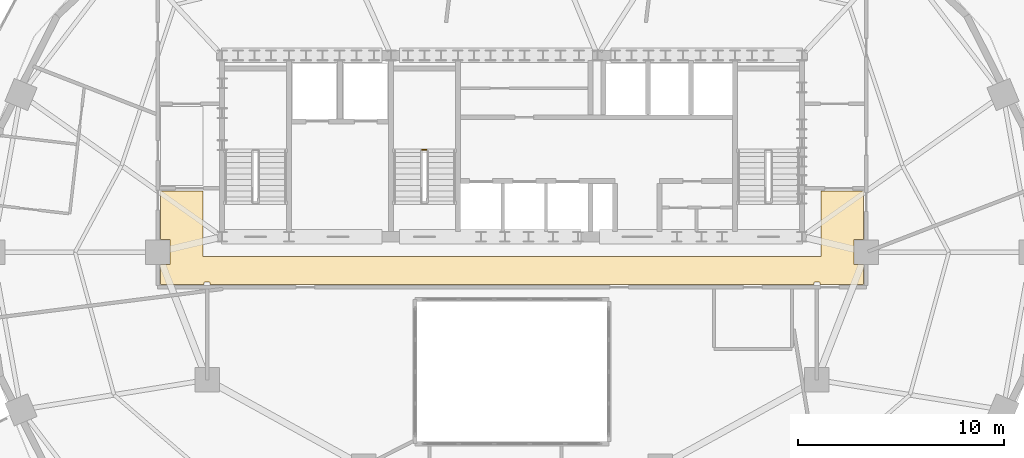
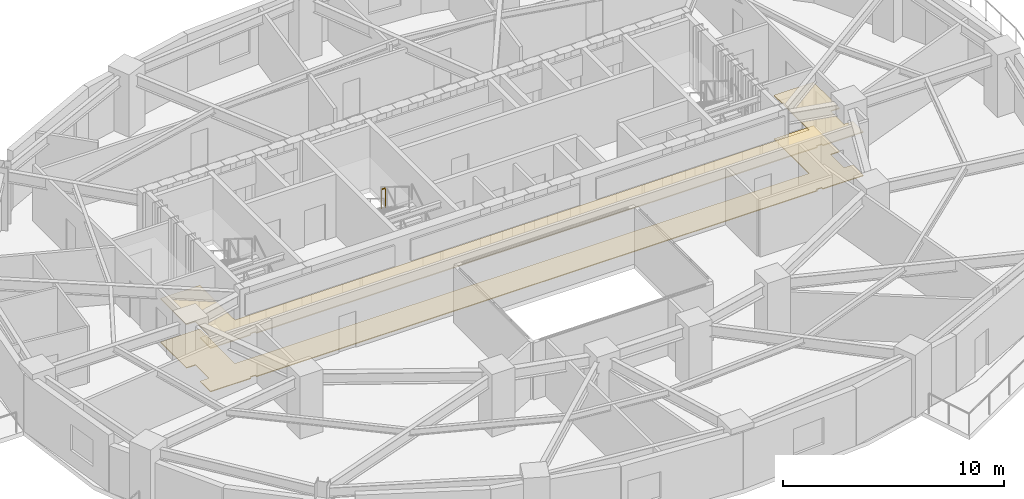
# One storey, part 11 of 12: 2 coverings, 1 railing.
"""IFC4 building model written with IfcOpenShell, lengths in metres."""

from ifc_helpers import new_model, si_unit, direction, frame, origin, origin_2d, place, context, subcontext, project, spatial, polyline, rectangle, outline, extrude, material, layer, layer_set, type_object, element, save


model = new_model("IFC4")

# Units and contexts
model_context = context("Model", 3, precision=1e-05, world=origin(), true_north=direction((0.0, 1.0)))
body_context = subcontext(model_context, "Body", "Model", "MODEL_VIEW")
ifc_project = project(units=[si_unit("LENGTHUNIT", "METRE"), si_unit("AREAUNIT", "SQUARE_METRE"), si_unit("VOLUMEUNIT", "CUBIC_METRE"), si_unit("PLANEANGLEUNIT", "RADIAN"), si_unit("MASSUNIT", "GRAM", prefix="KILO")], contexts=[model_context])

# Site, building, storey
site_placement = place(None, origin())
site = spatial("IfcSite", under=ifc_project, at=site_placement, CompositionType="ELEMENT")
building_placement = place(site_placement, origin())
building = spatial("IfcBuilding", under=site, at=building_placement, Name="Haldorwick Loom Tower", CompositionType="ELEMENT")
storey_placement = place(building_placement, frame((0.0, 0.0, 146.0)))
storey = spatial("IfcBuildingStorey", under=building, at=storey_placement, Name="L39", CompositionType="ELEMENT", Elevation=146.0)

# Coverings
ifc_material_1 = material(Name="Mineral Fibre Acoustic Ceiling Tile")
ifc_layer_1 = layer(ifc_material_1, 0.054931640625, Name="Mineral Fibre Acoustic Ceiling Tile")
ifc_layer_set_1 = layer_set([ifc_layer_1], Name="Mineral Fibre Acoustic Ceiling Tile")
covering_type_1 = type_object("IfcCoveringType", Name="ARC-COV-CEIL2", PredefinedType="CEILING", material=ifc_layer_set_1)
covering_1_placement = place(storey_placement, frame((0.0, 0.0, 2.39794921875)))
element("IfcCovering", 1, at=covering_1_placement, inside=storey, type_object=covering_type_1, Name="L39 Acoustic Suspended Ceiling 1", PredefinedType="CEILING", context=body_context, shape_type="SweptSolid", body=[
    extrude(outline(polyline([(51.0, 28.9599609375), (51.0, 25.800048828125), (21.0, 25.800048828125), (21.0, 28.9599609375), (18.93994140625, 28.9599609375), (18.93994140625, 26.60791015625), (19.407958984375, 26.60791015625), (19.407958984375, 25.39208984375), (18.93994140625, 25.39208984375), (18.93994140625, 24.43994140625), (21.06005859375, 24.43994140625), (21.06005859375, 24.52001953125), (21.06005859375, 24.52197265625), (21.060302734375, 24.52392578125), (21.060791015625, 24.52587890625), (21.0615234375, 24.527587890625), (21.0625, 24.529296875), (21.0634765625, 24.531005859375), (21.064453125, 24.53271484375), (21.06591796875, 24.5341796875), (21.0673828125, 24.535400390625), (21.06884765625, 24.53662109375), (21.070556640625, 24.53759765625), (21.072265625, 24.53857421875), (21.07421875, 24.5390625), (21.076171875, 24.53955078125), (21.077880859375, 24.539794921875), (21.080078125, 24.5400390625), (21.320068359375, 24.5400390625), (21.322021484375, 24.539794921875), (21.323974609375, 24.53955078125), (21.32568359375, 24.5390625), (21.32763671875, 24.53857421875), (21.329345703125, 24.53759765625), (21.3310546875, 24.53662109375), (21.332763671875, 24.535400390625), (21.333984375, 24.5341796875), (21.33544921875, 24.53271484375), (21.336669921875, 24.531005859375), (21.337646484375, 24.529296875), (21.33837890625, 24.527587890625), (21.339111328125, 24.52587890625), (21.339599609375, 24.52392578125), (21.33984375, 24.52197265625), (21.340087890625, 24.52001953125), (21.340087890625, 24.43994140625), (50.659912109375, 24.43994140625), (50.659912109375, 24.52001953125), (50.66015625, 24.52197265625), (50.660400390625, 24.52392578125), (50.660888671875, 24.52587890625), (50.66162109375, 24.527587890625), (50.662353515625, 24.529296875), (50.663330078125, 24.531005859375), (50.66455078125, 24.53271484375), (50.666015625, 24.5341796875), (50.667236328125, 24.535400390625), (50.6689453125, 24.53662109375), (50.670654296875, 24.53759765625), (50.67236328125, 24.53857421875), (50.67431640625, 24.5390625), (50.676025390625, 24.53955078125), (50.677978515625, 24.539794921875), (50.679931640625, 24.5400390625), (50.919921875, 24.5400390625), (50.922119140625, 24.539794921875), (50.923828125, 24.53955078125), (50.92578125, 24.5390625), (50.927734375, 24.53857421875), (50.929443359375, 24.53759765625), (50.93115234375, 24.53662109375), (50.9326171875, 24.535400390625), (50.93408203125, 24.5341796875), (50.935546875, 24.53271484375), (50.9365234375, 24.531005859375), (50.9375, 24.529296875), (50.9384765625, 24.527587890625), (50.939208984375, 24.52587890625), (50.939697265625, 24.52392578125), (50.93994140625, 24.52197265625), (50.93994140625, 24.52001953125), (50.93994140625, 24.43994140625), (53.06005859375, 24.43994140625), (53.06005859375, 25.39208984375), (52.592041015625, 25.39208984375), (52.592041015625, 26.60791015625), (53.06005859375, 26.60791015625), (53.06005859375, 28.9599609375), (51.0, 28.9599609375)])), origin(), (0.0, 0.0, 1.0), 0.054931640625),
])
ifc_material_2 = material(Name="Polished Aggregate Terrazzo Finish")
ifc_layer_2 = layer(ifc_material_2, 0.044921875, Name="Polished Aggregate Terrazzo Finish")
ifc_layer_set_2 = layer_set([ifc_layer_2], Name="Polished Aggregate Terrazzo Finish")
covering_type_2 = type_object("IfcCoveringType", Name="ARC-COV-FLOOR2", PredefinedType="FLOORING", material=ifc_layer_set_2)
covering_2_placement = place(storey_placement, origin())
element("IfcCovering", 2, at=covering_2_placement, inside=storey, type_object=covering_type_2, Name="L39 Floor Finish 1", PredefinedType="FLOORING", context=body_context, shape_type="SweptSolid", body=[
    extrude(outline(polyline([(51.0, 28.9599609375), (51.0, 25.800048828125), (21.0, 25.800048828125), (21.0, 28.9599609375), (18.93994140625, 28.9599609375), (18.93994140625, 26.60791015625), (19.407958984375, 26.60791015625), (19.407958984375, 25.39208984375), (18.93994140625, 25.39208984375), (18.93994140625, 24.43994140625), (21.06005859375, 24.43994140625), (21.06005859375, 24.52001953125), (21.06005859375, 24.52197265625), (21.060302734375, 24.52392578125), (21.060791015625, 24.52587890625), (21.0615234375, 24.527587890625), (21.0625, 24.529296875), (21.0634765625, 24.531005859375), (21.064453125, 24.53271484375), (21.06591796875, 24.5341796875), (21.0673828125, 24.535400390625), (21.06884765625, 24.53662109375), (21.070556640625, 24.53759765625), (21.072265625, 24.53857421875), (21.07421875, 24.5390625), (21.076171875, 24.53955078125), (21.077880859375, 24.539794921875), (21.080078125, 24.5400390625), (21.320068359375, 24.5400390625), (21.322021484375, 24.539794921875), (21.323974609375, 24.53955078125), (21.32568359375, 24.5390625), (21.32763671875, 24.53857421875), (21.329345703125, 24.53759765625), (21.3310546875, 24.53662109375), (21.332763671875, 24.535400390625), (21.333984375, 24.5341796875), (21.33544921875, 24.53271484375), (21.336669921875, 24.531005859375), (21.337646484375, 24.529296875), (21.33837890625, 24.527587890625), (21.339111328125, 24.52587890625), (21.339599609375, 24.52392578125), (21.33984375, 24.52197265625), (21.340087890625, 24.52001953125), (21.340087890625, 24.43994140625), (50.659912109375, 24.43994140625), (50.659912109375, 24.52001953125), (50.66015625, 24.52197265625), (50.660400390625, 24.52392578125), (50.660888671875, 24.52587890625), (50.66162109375, 24.527587890625), (50.662353515625, 24.529296875), (50.663330078125, 24.531005859375), (50.66455078125, 24.53271484375), (50.666015625, 24.5341796875), (50.667236328125, 24.535400390625), (50.6689453125, 24.53662109375), (50.670654296875, 24.53759765625), (50.67236328125, 24.53857421875), (50.67431640625, 24.5390625), (50.676025390625, 24.53955078125), (50.677978515625, 24.539794921875), (50.679931640625, 24.5400390625), (50.919921875, 24.5400390625), (50.922119140625, 24.539794921875), (50.923828125, 24.53955078125), (50.92578125, 24.5390625), (50.927734375, 24.53857421875), (50.929443359375, 24.53759765625), (50.93115234375, 24.53662109375), (50.9326171875, 24.535400390625), (50.93408203125, 24.5341796875), (50.935546875, 24.53271484375), (50.9365234375, 24.531005859375), (50.9375, 24.529296875), (50.9384765625, 24.527587890625), (50.939208984375, 24.52587890625), (50.939697265625, 24.52392578125), (50.93994140625, 24.52197265625), (50.93994140625, 24.52001953125), (50.93994140625, 24.43994140625), (53.06005859375, 24.43994140625), (53.06005859375, 25.39208984375), (52.592041015625, 25.39208984375), (52.592041015625, 26.60791015625), (53.06005859375, 26.60791015625), (53.06005859375, 28.9599609375), (51.0, 28.9599609375)])), origin(), (0.0, 0.0, 1.0), 0.044921875),
])

# Railing
ifc_material_3 = material(Name="Steel CSA G40.21 350W", Category="steel")
railing_type = type_object("IfcRailingType", Name="ARC-RLG-GUARD112", PredefinedType="GUARDRAIL", material=ifc_material_3)
railing_placement = place(storey_placement, frame((31.85009765625, 30.969970703125, 1.72509765625)))
element("IfcRailing", 3, at=railing_placement, inside=storey, type_object=railing_type, Name="L39 ST-03 stair guard 2", PredefinedType="GUARDRAIL", context=body_context, shape_type="SweptSolid", body=[
    extrude(rectangle(XDim=0.048095703125, YDim=0.048095703125, at=origin_2d()), frame((0.0, 0.0, 1.076171875), z_axis=(-1.0, 0.0, 0.0), x_axis=(0.0, -1.0, 0.0)), (0.0, 0.0, 1.0), 0.2001953125),
    extrude(rectangle(XDim=0.0419921875, YDim=0.0419921875, at=origin_2d()), origin(), (0.0, 0.0, 1.0), 1.052001953125),
    extrude(rectangle(XDim=0.0419921875, YDim=0.0419921875, at=origin_2d()), frame((-0.2001953125, 0.0, 0.0)), (0.0, 0.0, 1.0), 1.052001953125),
])

save(model, "model.ifc")
